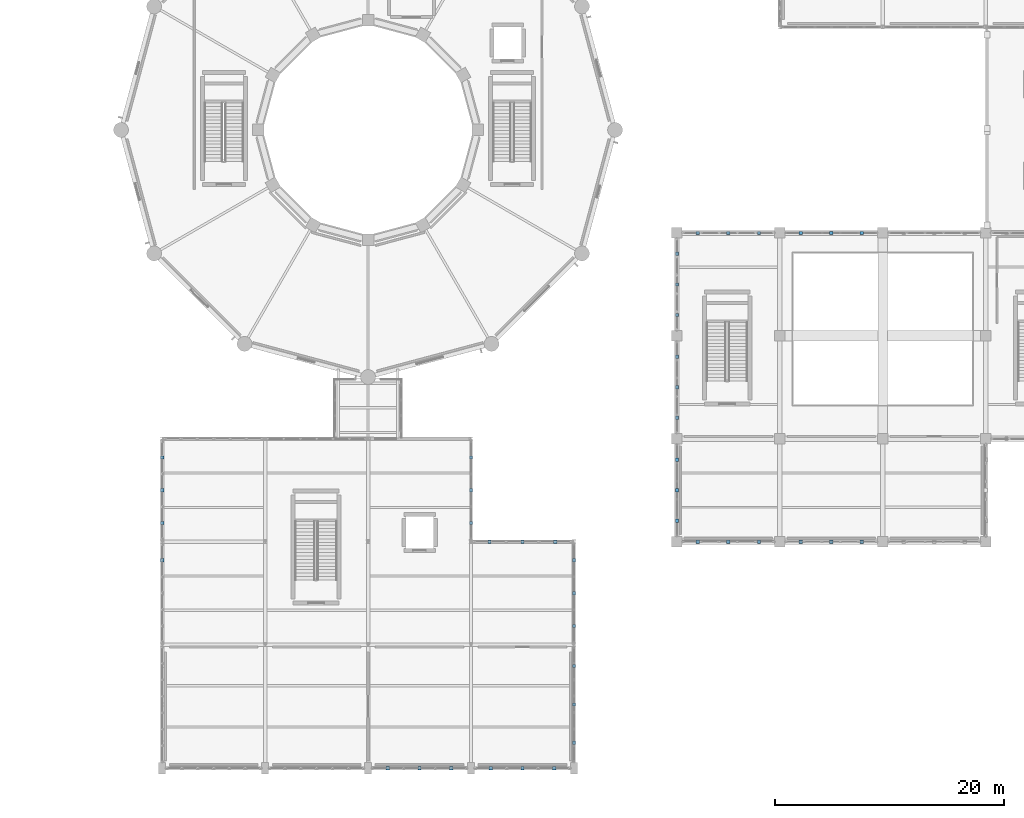
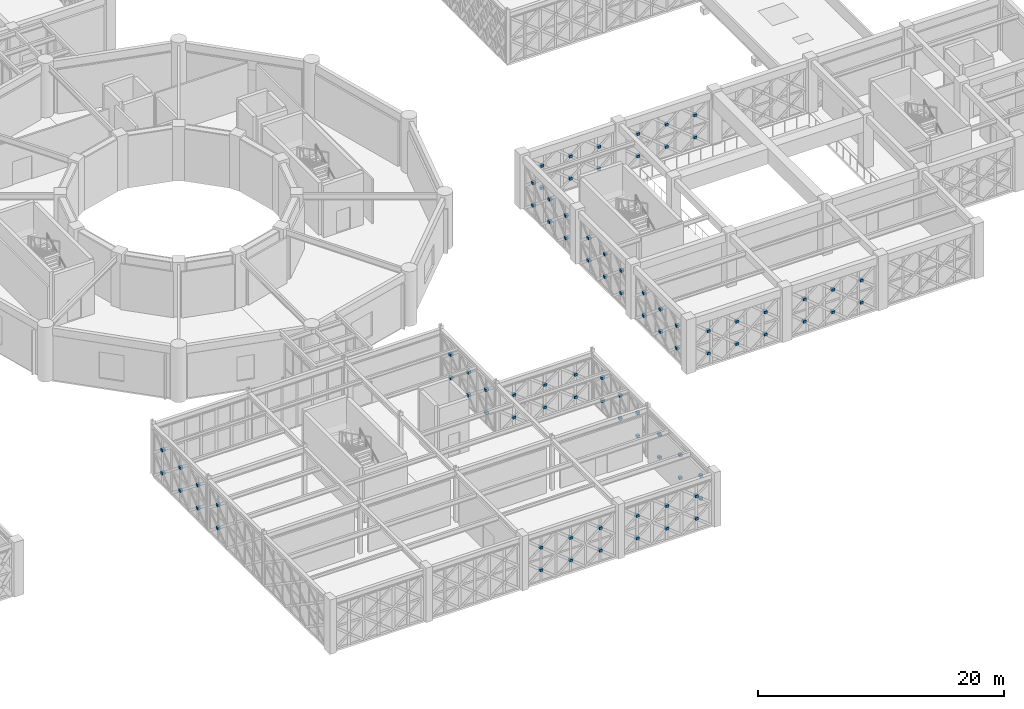
# One storey, part 141 of 155: 86 discrete accessories.
"""IFC4 building model written with IfcOpenShell, lengths in metres."""

from ifc_helpers import new_model, si_unit, direction, frame, origin, origin_2d, place, context, subcontext, project, spatial, rectangle, extrude, material, type_object, element, save


model = new_model("IFC4")

# Units and contexts
model_context = context("Model", 3, precision=1e-05, world=origin(), true_north=direction((0.0, 1.0)))
body_context = subcontext(model_context, "Body", "Model", "MODEL_VIEW")
ifc_project = project(units=[si_unit("LENGTHUNIT", "METRE"), si_unit("AREAUNIT", "SQUARE_METRE"), si_unit("VOLUMEUNIT", "CUBIC_METRE"), si_unit("PLANEANGLEUNIT", "RADIAN"), si_unit("MASSUNIT", "GRAM", prefix="KILO")], contexts=[model_context])

# Site, building, storey
site_placement = place(None, origin())
site = spatial("IfcSite", under=ifc_project, at=site_placement, CompositionType="ELEMENT")
building_placement = place(site_placement, origin())
building = spatial("IfcBuilding", under=site, at=building_placement, Name="Haizhuo Lancet Aquarium", CompositionType="ELEMENT")
storey_placement = place(building_placement, frame((0.0, 0.0, 10.800048828125)))
storey = spatial("IfcBuildingStorey", under=building, at=storey_placement, Name="L02", CompositionType="ELEMENT", Elevation=10.800048828125)

# Discrete accessories
ifc_material = material(Name="Steel S355", Category="steel")
discrete_accessory_type = type_object("IfcDiscreteAccessoryType", Name="ACC-END-CAP", PredefinedType="BRACKET", material=ifc_material)
for number, where, z_axis, x_axis, name in (
    (1, (28.830078125, -9.0, 0.98193359375), (0.0, 0.0, 1.0), (1.0, 0.0, 0.0), "L02 X-brace crossing gusset plate XN-CW-V3-L02-051-LB01B1"),
    (2, (28.830078125, -9.0, 3.18798828125), (0.0, 0.0, 1.0), (1.0, 0.0, 0.0), "L02 X-brace crossing gusset plate XN-CW-V3-L02-051-LB02B1"),
    (3, (31.5, -9.0, 0.98193359375), (0.0, 0.0, 1.0), (1.0, 0.0, 0.0), "L02 X-brace crossing gusset plate XN-CW-V3-L02-051-LB03B1"),
    (4, (31.5, -9.0, 3.18798828125), (0.0, 0.0, 1.0), (1.0, 0.0, 0.0), "L02 X-brace crossing gusset plate XN-CW-V3-L02-051-LB04B1"),
    (5, (34.169921875, -9.0, 0.98193359375), (0.0, 0.0, 1.0), (1.0, 0.0, 0.0), "L02 X-brace crossing gusset plate XN-CW-V3-L02-051-LB05B1"),
    (6, (34.169921875, -9.0, 3.18798828125), (0.0, 0.0, 1.0), (1.0, 0.0, 0.0), "L02 X-brace crossing gusset plate XN-CW-V3-L02-051-LB06B1"),
    (7, (37.830078125, -9.0, 0.98193359375), (0.0, 0.0, 1.0), (1.0, 0.0, 0.0), "L02 X-brace crossing gusset plate XN-CW-V3-L02-052-LB01B1"),
    (8, (37.830078125, -9.0, 3.18798828125), (0.0, 0.0, 1.0), (1.0, 0.0, 0.0), "L02 X-brace crossing gusset plate XN-CW-V3-L02-052-LB02B1"),
    (9, (40.5, -9.0, 0.98193359375), (0.0, 0.0, 1.0), (1.0, 0.0, 0.0), "L02 X-brace crossing gusset plate XN-CW-V3-L02-052-LB03B1"),
    (10, (40.5, -9.0, 3.18798828125), (0.0, 0.0, 1.0), (1.0, 0.0, 0.0), "L02 X-brace crossing gusset plate XN-CW-V3-L02-052-LB04B1"),
    (11, (43.169921875, -9.0, 0.98193359375), (0.0, 0.0, 1.0), (1.0, 0.0, 0.0), "L02 X-brace crossing gusset plate XN-CW-V3-L02-052-LB05B1"),
    (12, (43.169921875, -9.0, 3.18798828125), (0.0, 0.0, 1.0), (1.0, 0.0, 0.0), "L02 X-brace crossing gusset plate XN-CW-V3-L02-052-LB06B1"),
    (13, (43.169921875, -36.0, 0.98193359375), (0.0, 0.0, 1.0), (1.0, 0.0, 0.0), "L02 X-brace crossing gusset plate XN-CW-V3-L02-062-LB01B1"),
    (14, (43.169921875, -36.0, 3.18798828125), (0.0, 0.0, 1.0), (1.0, 0.0, 0.0), "L02 X-brace crossing gusset plate XN-CW-V3-L02-062-LB02B1"),
    (15, (40.5, -36.0, 0.98193359375), (0.0, 0.0, 1.0), (1.0, 0.0, 0.0), "L02 X-brace crossing gusset plate XN-CW-V3-L02-062-LB03B1"),
    (16, (40.5, -36.0, 3.18798828125), (0.0, 0.0, 1.0), (1.0, 0.0, 0.0), "L02 X-brace crossing gusset plate XN-CW-V3-L02-062-LB04B1"),
    (17, (37.830078125, -36.0, 0.98193359375), (0.0, 0.0, 1.0), (1.0, 0.0, 0.0), "L02 X-brace crossing gusset plate XN-CW-V3-L02-062-LB05B1"),
    (18, (37.830078125, -36.0, 3.18798828125), (0.0, 0.0, 1.0), (1.0, 0.0, 0.0), "L02 X-brace crossing gusset plate XN-CW-V3-L02-062-LB06B1"),
    (19, (34.169921875, -36.0, 0.98193359375), (0.0, 0.0, 1.0), (1.0, 0.0, 0.0), "L02 X-brace crossing gusset plate XN-CW-V3-L02-063-LB01B1"),
    (20, (34.169921875, -36.0, 3.18798828125), (0.0, 0.0, 1.0), (1.0, 0.0, 0.0), "L02 X-brace crossing gusset plate XN-CW-V3-L02-063-LB02B1"),
    (21, (31.5, -36.0, 0.98193359375), (0.0, 0.0, 1.0), (1.0, 0.0, 0.0), "L02 X-brace crossing gusset plate XN-CW-V3-L02-063-LB03B1"),
    (22, (31.5, -36.0, 3.18798828125), (0.0, 0.0, 1.0), (1.0, 0.0, 0.0), "L02 X-brace crossing gusset plate XN-CW-V3-L02-063-LB04B1"),
    (23, (28.830078125, -36.0, 0.98193359375), (0.0, 0.0, 1.0), (1.0, 0.0, 0.0), "L02 X-brace crossing gusset plate XN-CW-V3-L02-063-LB05B1"),
    (24, (28.830078125, -36.0, 3.18798828125), (0.0, 0.0, 1.0), (1.0, 0.0, 0.0), "L02 X-brace crossing gusset plate XN-CW-V3-L02-063-LB06B1"),
    (25, (27.0, -34.169921875, 0.9951171875), (0.0, 0.0, 1.0), (1.0, 0.0, 0.0), "L02 X-brace crossing gusset plate XN-CW-V3-L02-064-LB01B1"),
    (26, (27.0, -34.169921875, 3.22509765625), (0.0, 0.0, 1.0), (1.0, 0.0, 0.0), "L02 X-brace crossing gusset plate XN-CW-V3-L02-064-LB02B1"),
    (27, (27.0, -31.5, 0.9951171875), (0.0, 0.0, 1.0), (1.0, 0.0, 0.0), "L02 X-brace crossing gusset plate XN-CW-V3-L02-064-LB03B1"),
    (28, (27.0, -31.5, 3.22509765625), (0.0, 0.0, 1.0), (1.0, 0.0, 0.0), "L02 X-brace crossing gusset plate XN-CW-V3-L02-064-LB04B1"),
    (29, (27.0, -28.830078125, 0.9951171875), (0.0, 0.0, 1.0), (1.0, 0.0, 0.0), "L02 X-brace crossing gusset plate XN-CW-V3-L02-064-LB05B1"),
    (30, (27.0, -28.830078125, 3.22509765625), (0.0, 0.0, 1.0), (1.0, 0.0, 0.0), "L02 X-brace crossing gusset plate XN-CW-V3-L02-064-LB06B1"),
    (31, (27.0, -25.169921875, 0.9951171875), (0.0, 0.0, 1.0), (1.0, 0.0, 0.0), "L02 X-brace crossing gusset plate XN-CW-V3-L02-065-LB01B1"),
    (32, (27.0, -25.169921875, 3.22509765625), (0.0, 0.0, 1.0), (1.0, 0.0, 0.0), "L02 X-brace crossing gusset plate XN-CW-V3-L02-065-LB02B1"),
    (33, (27.0, -22.5, 0.9951171875), (0.0, 0.0, 1.0), (1.0, 0.0, 0.0), "L02 X-brace crossing gusset plate XN-CW-V3-L02-065-LB03B1"),
    (34, (27.0, -22.5, 3.22509765625), (0.0, 0.0, 1.0), (1.0, 0.0, 0.0), "L02 X-brace crossing gusset plate XN-CW-V3-L02-065-LB04B1"),
    (35, (27.0, -19.830078125, 0.9951171875), (0.0, 0.0, 1.0), (1.0, 0.0, 0.0), "L02 X-brace crossing gusset plate XN-CW-V3-L02-065-LB05B1"),
    (36, (27.0, -19.830078125, 3.22509765625), (0.0, 0.0, 1.0), (1.0, 0.0, 0.0), "L02 X-brace crossing gusset plate XN-CW-V3-L02-065-LB06B1"),
    (37, (27.0, -16.169921875, 0.9951171875), (0.0, 0.0, 1.0), (1.0, 0.0, 0.0), "L02 X-brace crossing gusset plate XN-CW-V3-L02-066-LB01B1"),
    (38, (27.0, -16.169921875, 3.22509765625), (0.0, 0.0, 1.0), (1.0, 0.0, 0.0), "L02 X-brace crossing gusset plate XN-CW-V3-L02-066-LB02B1"),
    (39, (27.0, -13.5, 0.9951171875), (0.0, 0.0, 1.0), (1.0, 0.0, 0.0), "L02 X-brace crossing gusset plate XN-CW-V3-L02-066-LB03B1"),
    (40, (27.0, -13.5, 3.22509765625), (0.0, 0.0, 1.0), (1.0, 0.0, 0.0), "L02 X-brace crossing gusset plate XN-CW-V3-L02-066-LB04B1"),
    (41, (27.0, -10.830078125, 0.9951171875), (0.0, 0.0, 1.0), (1.0, 0.0, 0.0), "L02 X-brace crossing gusset plate XN-CW-V3-L02-066-LB05B1"),
    (42, (27.0, -10.830078125, 3.22509765625), (0.0, 0.0, 1.0), (1.0, 0.0, 0.0), "L02 X-brace crossing gusset plate XN-CW-V3-L02-066-LB06B1"),
    (43, (9.0, -28.6298828125, 1.02099609375), (0.0, 0.0, 1.0), (1.0, 0.0, 0.0), "L02 X-brace crossing gusset plate XN-CW-V4-L02-104-LB01B1"),
    (44, (9.0, -28.6298828125, 3.30078125), (0.0, 0.0, 1.0), (1.0, 0.0, 0.0), "L02 X-brace crossing gusset plate XN-CW-V4-L02-104-LB02B1"),
    (45, (9.0, -31.5, 1.02099609375), (0.0, 0.0, 1.0), (1.0, 0.0, 0.0), "L02 X-brace crossing gusset plate XN-CW-V4-L02-104-LB03B1"),
    (46, (9.0, -31.5, 3.30078125), (0.0, 0.0, 1.0), (1.0, 0.0, 0.0), "L02 X-brace crossing gusset plate XN-CW-V4-L02-104-LB04B1"),
    (47, (9.0, -34.3701171875, 1.02099609375), (0.0, 0.0, 1.0), (1.0, 0.0, 0.0), "L02 X-brace crossing gusset plate XN-CW-V4-L02-104-LB05B1"),
    (48, (9.0, -34.3701171875, 3.30078125), (0.0, 0.0, 1.0), (1.0, 0.0, 0.0), "L02 X-brace crossing gusset plate XN-CW-V4-L02-104-LB06B1"),
    (49, (10.6298828125, -36.0, 0.99609375), (0.0, 0.0, 1.0), (1.0, 0.0, 0.0), "L02 X-brace crossing gusset plate XN-CW-V4-L02-105-LB01B1"),
    (50, (10.6298828125, -36.0, 3.22607421875), (0.0, 0.0, 1.0), (1.0, 0.0, 0.0), "L02 X-brace crossing gusset plate XN-CW-V4-L02-105-LB02B1"),
    (51, (13.5, -36.0, 0.99609375), (0.0, 0.0, 1.0), (1.0, 0.0, 0.0), "L02 X-brace crossing gusset plate XN-CW-V4-L02-105-LB03B1"),
    (52, (13.5, -36.0, 3.22607421875), (0.0, 0.0, 1.0), (1.0, 0.0, 0.0), "L02 X-brace crossing gusset plate XN-CW-V4-L02-105-LB04B1"),
    (53, (16.3701171875, -36.0, 0.99609375), (0.0, 0.0, 1.0), (1.0, 0.0, 0.0), "L02 X-brace crossing gusset plate XN-CW-V4-L02-105-LB05B1"),
    (54, (16.3701171875, -36.0, 3.22607421875), (0.0, 0.0, 1.0), (1.0, 0.0, 0.0), "L02 X-brace crossing gusset plate XN-CW-V4-L02-105-LB06B1"),
    (55, (18.0, -37.6298828125, 1.02099609375), (0.0, 0.0, 1.0), (1.0, 0.0, 0.0), "L02 X-brace crossing gusset plate XN-CW-V4-L02-106-LB01B1"),
    (56, (18.0, -37.6298828125, 3.30078125), (0.0, 0.0, 1.0), (1.0, 0.0, 0.0), "L02 X-brace crossing gusset plate XN-CW-V4-L02-106-LB02B1"),
    (57, (18.0, -40.5, 1.02099609375), (0.0, 0.0, 1.0), (1.0, 0.0, 0.0), "L02 X-brace crossing gusset plate XN-CW-V4-L02-106-LB03B1"),
    (58, (18.0, -40.5, 3.30078125), (0.0, 0.0, 1.0), (1.0, 0.0, 0.0), "L02 X-brace crossing gusset plate XN-CW-V4-L02-106-LB04B1"),
    (59, (18.0, -43.3701171875, 1.02099609375), (0.0, 0.0, 1.0), (1.0, 0.0, 0.0), "L02 X-brace crossing gusset plate XN-CW-V4-L02-106-LB05B1"),
    (60, (18.0, -43.3701171875, 3.30078125), (0.0, 0.0, 1.0), (1.0, 0.0, 0.0), "L02 X-brace crossing gusset plate XN-CW-V4-L02-106-LB06B1"),
    (61, (18.0, -46.87109375, 1.02099609375), (0.0, 0.0, 1.0), (1.0, 0.0, 0.0), "L02 X-brace crossing gusset plate XN-CW-V4-L02-107-LB01B1"),
    (62, (18.0, -46.87109375, 3.30078125), (0.0, 0.0, 1.0), (1.0, 0.0, 0.0), "L02 X-brace crossing gusset plate XN-CW-V4-L02-107-LB02B1"),
    (63, (18.0, -50.22509765625, 1.02099609375), (0.0, 0.0, 1.0), (1.0, 0.0, 0.0), "L02 X-brace crossing gusset plate XN-CW-V4-L02-107-LB03B1"),
    (64, (18.0, -50.22509765625, 3.30078125), (0.0, 0.0, 1.0), (1.0, 0.0, 0.0), "L02 X-brace crossing gusset plate XN-CW-V4-L02-107-LB04B1"),
    (65, (18.0, -53.5791015625, 1.02099609375), (0.0, 0.0, 1.0), (1.0, 0.0, 0.0), "L02 X-brace crossing gusset plate XN-CW-V4-L02-107-LB05B1"),
    (66, (18.0, -53.5791015625, 3.30078125), (0.0, 0.0, 1.0), (1.0, 0.0, 0.0), "L02 X-brace crossing gusset plate XN-CW-V4-L02-107-LB06B1"),
    (67, (16.27001953125, -55.800048828125, 0.99609375), (0.0, 0.0, 1.0), (1.0, 0.0, 0.0), "L02 X-brace crossing gusset plate XN-CW-V4-L02-108-LB01B1"),
    (68, (16.27001953125, -55.800048828125, 3.22607421875), (0.0, 0.0, 1.0), (1.0, 0.0, 0.0), "L02 X-brace crossing gusset plate XN-CW-V4-L02-108-LB02B1"),
    (69, (13.5, -55.800048828125, 0.99609375), (0.0, 0.0, 1.0), (1.0, 0.0, 0.0), "L02 X-brace crossing gusset plate XN-CW-V4-L02-108-LB03B1"),
    (70, (13.5, -55.800048828125, 3.22607421875), (0.0, 0.0, 1.0), (1.0, 0.0, 0.0), "L02 X-brace crossing gusset plate XN-CW-V4-L02-108-LB04B1"),
    (71, (10.72998046875, -55.800048828125, 0.99609375), (0.0, 0.0, 1.0), (1.0, 0.0, 0.0), "L02 X-brace crossing gusset plate XN-CW-V4-L02-108-LB05B1"),
    (72, (10.72998046875, -55.800048828125, 3.22607421875), (0.0, 0.0, 1.0), (1.0, 0.0, 0.0), "L02 X-brace crossing gusset plate XN-CW-V4-L02-108-LB06B1"),
    (73, (7.27001953125, -55.800048828125, 0.99609375), (0.0, 0.0, 1.0), (1.0, 0.0, 0.0), "L02 X-brace crossing gusset plate XN-CW-V4-L02-109-LB01B1"),
    (74, (7.27001953125, -55.800048828125, 3.22607421875), (0.0, 0.0, 1.0), (1.0, 0.0, 0.0), "L02 X-brace crossing gusset plate XN-CW-V4-L02-109-LB02B1"),
    (75, (4.5, -55.800048828125, 0.99609375), (0.0, 0.0, 1.0), (1.0, 0.0, 0.0), "L02 X-brace crossing gusset plate XN-CW-V4-L02-109-LB03B1"),
    (76, (4.5, -55.800048828125, 3.22607421875), (0.0, 0.0, 1.0), (1.0, 0.0, 0.0), "L02 X-brace crossing gusset plate XN-CW-V4-L02-109-LB04B1"),
    (77, (1.72998046875, -55.800048828125, 0.99609375), (0.0, 0.0, 1.0), (1.0, 0.0, 0.0), "L02 X-brace crossing gusset plate XN-CW-V4-L02-109-LB05B1"),
    (78, (1.72998046875, -55.800048828125, 3.22607421875), (0.0, 0.0, 1.0), (1.0, 0.0, 0.0), "L02 X-brace crossing gusset plate XN-CW-V4-L02-109-LB06B1"),
    (79, (-18.0, -37.6298828125, 1.02099609375), (0.0, 0.0, 1.0), (1.0, 0.0, 0.0), "L02 X-brace crossing gusset plate XN-CW-V4-L02-113-LB05B1"),
    (80, (-18.0, -37.6298828125, 3.30078125), (0.0, 0.0, 1.0), (1.0, 0.0, 0.0), "L02 X-brace crossing gusset plate XN-CW-V4-L02-113-LB06B1"),
    (81, (-18.0, -34.3701171875, 1.02099609375), (0.0, 0.0, 1.0), (1.0, 0.0, 0.0), "L02 X-brace crossing gusset plate XN-CW-V4-L02-114-LB01B1"),
    (82, (-18.0, -34.3701171875, 3.30078125), (0.0, 0.0, 1.0), (1.0, 0.0, 0.0), "L02 X-brace crossing gusset plate XN-CW-V4-L02-114-LB02B1"),
    (83, (-18.0, -31.5, 1.02099609375), (0.0, 0.0, 1.0), (1.0, 0.0, 0.0), "L02 X-brace crossing gusset plate XN-CW-V4-L02-114-LB03B1"),
    (84, (-18.0, -31.5, 3.30078125), (0.0, 0.0, 1.0), (1.0, 0.0, 0.0), "L02 X-brace crossing gusset plate XN-CW-V4-L02-114-LB04B1"),
    (85, (-18.0, -28.6298828125, 1.02099609375), (0.0, 0.0, 1.0), (1.0, 0.0, 0.0), "L02 X-brace crossing gusset plate XN-CW-V4-L02-114-LB05B1"),
    (86, (-18.0, -28.6298828125, 3.30078125), (0.0, 0.0, 1.0), (1.0, 0.0, 0.0), "L02 X-brace crossing gusset plate XN-CW-V4-L02-114-LB06B1"),
):
    element("IfcDiscreteAccessory", number, at=place(storey_placement, frame(where, z_axis=z_axis, x_axis=x_axis)), inside=storey, type_object=discrete_accessory_type, material=ifc_material, Name=name, PredefinedType="BRACKET", context=body_context, shape_type="SweptSolid", body=[
        extrude(rectangle(XDim=0.280029296875, YDim=0.280029296875, at=origin_2d()), origin(), (0.0, 0.0, 1.0), 0.239990234375),
    ])

save(model, "model.ifc")
